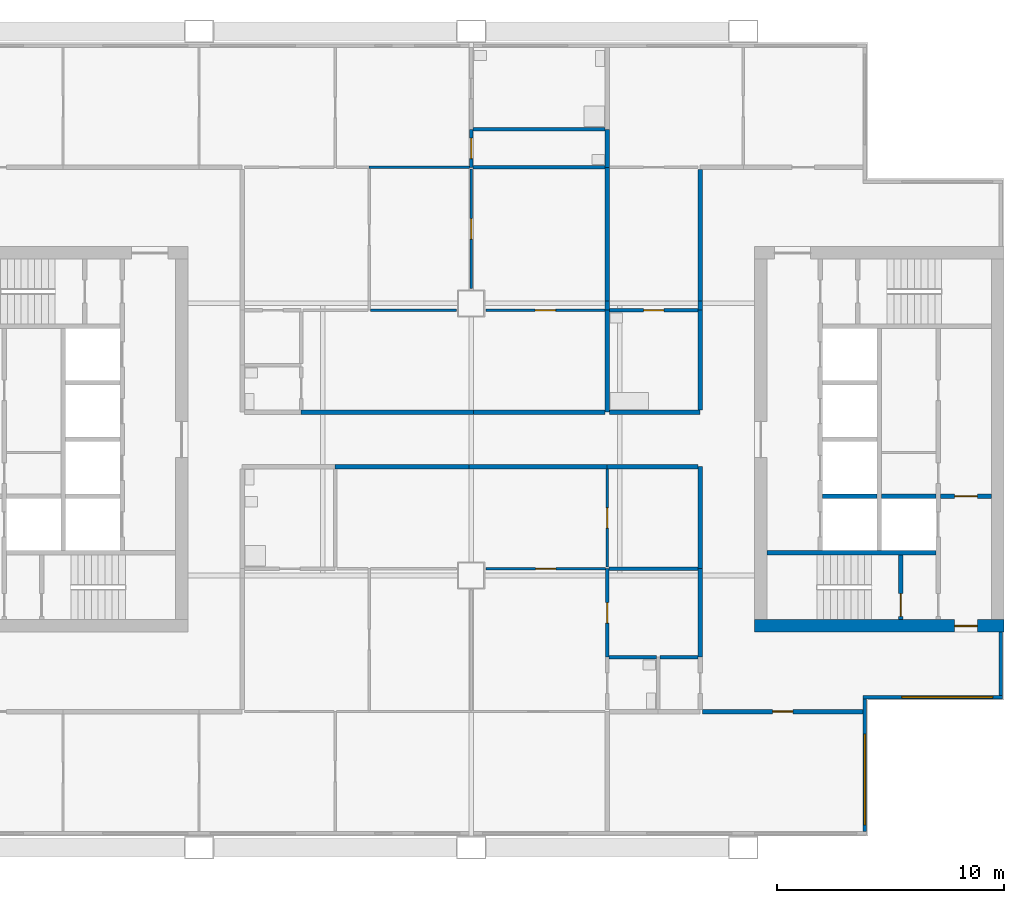
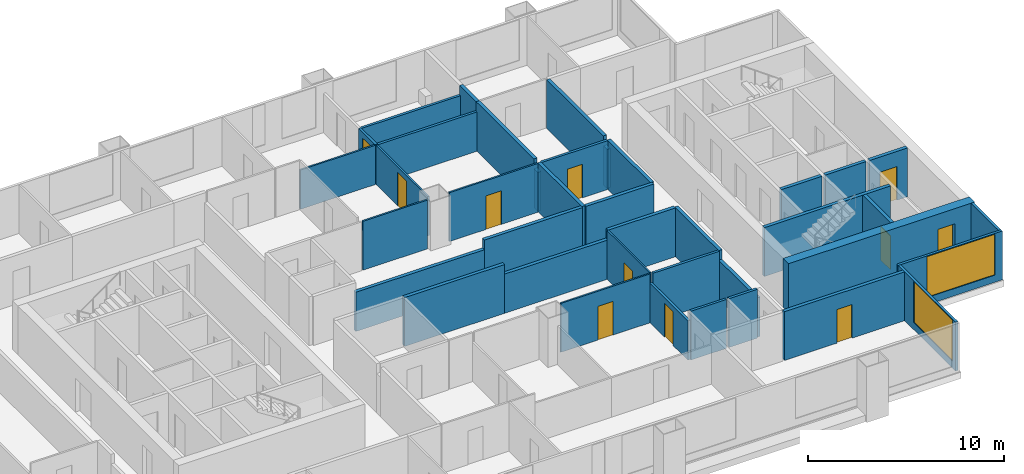
# One storey, part 5 of 9: 39 walls, 11 doors, 2 windows, 13 openings.
"""IFC4 building model written with IfcOpenShell, lengths in metres."""

from ifc_helpers import new_model, si_unit, direction, frame, frame_2d, origin, place, context, subcontext, project, spatial, rectangle, extrude, material, layer, layer_set, type_object, element, fill, save


model = new_model("IFC4")

# Units and contexts
model_context = context("Model", 3, precision=1e-05, world=origin(), true_north=direction((0.0, 1.0)))
body_context = subcontext(model_context, "Body", "Model", "MODEL_VIEW")
ifc_project = project(units=[si_unit("LENGTHUNIT", "METRE"), si_unit("AREAUNIT", "SQUARE_METRE"), si_unit("VOLUMEUNIT", "CUBIC_METRE"), si_unit("PLANEANGLEUNIT", "RADIAN"), si_unit("MASSUNIT", "GRAM", prefix="KILO")], contexts=[model_context])

# Site, building, storey
site_placement = place(None, origin())
site = spatial("IfcSite", under=ifc_project, at=site_placement, CompositionType="ELEMENT")
building_placement = place(site_placement, origin())
building = spatial("IfcBuilding", under=site, at=building_placement, Name="Kitamizu Gate Tower and Museum", CompositionType="ELEMENT")
storey_placement = place(building_placement, frame((0.0, 0.0, 182.39990234375)))
storey = spatial("IfcBuildingStorey", under=building, at=storey_placement, Name="L48", CompositionType="ELEMENT", Elevation=182.39990234375)

# Wall, opening, door
ifc_material_1 = material(Name="Concrete Fc42", Category="concrete")
ifc_layer_1 = layer(ifc_material_1, 0.550048828125)
ifc_layer_set_1 = layer_set([ifc_layer_1], Name="Concrete Fc42")
wall_type_1 = type_object("IfcWallType", Name="Core wall 550", PredefinedType="SHEAR", material=ifc_layer_set_1)
wall_1_placement = place(storey_placement, frame((59.5, 21.77490234375, 0.0), z_axis=(0.0, 0.0, 1.0), x_axis=(-1.0, 0.0, 0.0)))
wall_1 = element("IfcWall", 1, at=wall_1_placement, inside=storey, type_object=wall_type_1, Name="Core wall ES", PredefinedType="SHEAR", context=body_context, shape_type="SweptSolid", body=[
    extrude(rectangle(XDim=11.0, YDim=0.550048828125, at=frame_2d((5.5, 0.0))), origin(), (0.0, 0.0, 1.0), 3.050048828125),
])
opening_1_placement = place(wall_1_placement, frame((1.175048828125, 0.0, 0.0)))
opening_1 = element("IfcOpeningElement", 2, at=opening_1_placement, cuts=wall_1, Name="Opening L48-057", PredefinedType="OPENING", context=body_context, shape_type="SweptSolid", body=[
    extrude(rectangle(XDim=1.0, YDim=2.10009765625, at=frame_2d((0.5, 1.050048828125))), frame((0.0, 0.28515625, 0.0), z_axis=(0.0, -1.0, 0.0), x_axis=(1.0, 0.0, 0.0)), (0.0, 0.0, 1.0), 0.570068359375),
])
ifc_material_2 = material(Name="Hollow metal door set")
door_type_1 = type_object("IfcDoorType", Name="Fire door 1000", OperationType="NOTDEFINED", PredefinedType="DOOR", material=ifc_material_2)
door_1_placement = place(opening_1_placement, frame((1.0, 0.0, 0.0), x_axis=(-1.0, 0.0, 0.0)))
door_1 = element("IfcDoor", 3, at=door_1_placement, inside=storey, type_object=door_type_1, Name="Fire-fighting lobby door L48-057", OperationType="SINGLE_SWING_LEFT", OverallHeight=2.10009765625, OverallWidth=1.0, PredefinedType="DOOR", context=body_context, shape_type="SweptSolid", body=[
    extrude(rectangle(XDim=1.0, YDim=2.10009765625, at=frame_2d((0.5, 1.050048828125))), frame((0.0, 0.02490234375, 0.0), z_axis=(0.0, -1.0, 0.0), x_axis=(1.0, 0.0, 0.0)), (0.0, 0.0, 1.0), 0.050048828125),
])
fill(opening_1, door_1)

ifc_material_3 = material(Name="Gypsum board on galvanised stud")
ifc_layer_2 = layer(ifc_material_3, 0.10009765625)
ifc_layer_set_2 = layer_set([ifc_layer_2], Name="Gypsum board on galvanised stud")
wall_type_2 = type_object("IfcWallType", Name="Partition 100 NOT RATED", PredefinedType="PARTITIONING", material=ifc_layer_set_2)
wall_2_placement = place(storey_placement, frame((41.925048828125, 24.300048828125, 0.0), z_axis=(0.0, 0.0, 1.0), x_axis=(-1.0, 0.0, 0.0)))
wall_2 = element("IfcWall", 4, at=wall_2_placement, inside=storey, type_object=wall_type_2, Name="Partition L48-022", PredefinedType="PARTITIONING", context=body_context, shape_type="SweptSolid", body=[
    extrude(rectangle(XDim=5.275146484375, YDim=0.10009765625, at=frame_2d((2.6376953125, 0.0))), origin(), (0.0, 0.0, 1.0), 3.050048828125),
])
opening_2_placement = place(wall_2_placement, frame((2.1875, 0.0, 0.0)))
opening_2 = element("IfcOpeningElement", 5, at=opening_2_placement, cuts=wall_2, Name="Opening L48-010", PredefinedType="OPENING", context=body_context, shape_type="SweptSolid", body=[
    extrude(rectangle(XDim=0.89990234375, YDim=2.10009765625, at=frame_2d((0.449951171875, 1.050048828125))), frame((0.0, 0.06005859375, 0.0), z_axis=(0.0, -1.0, 0.0), x_axis=(1.0, 0.0, 0.0)), (0.0, 0.0, 1.0), 0.1201171875),
])
ifc_material_4 = material(Name="Timber door set", Category="wood")
door_type_2 = type_object("IfcDoorType", Name="Room door 900", OperationType="NOTDEFINED", PredefinedType="DOOR", material=ifc_material_4)
door_2_placement = place(opening_2_placement, origin())
door_2 = element("IfcDoor", 6, at=door_2_placement, inside=storey, type_object=door_type_2, Name="Door L48-010", OperationType="SINGLE_SWING_LEFT", OverallHeight=2.10009765625, OverallWidth=0.89990234375, PredefinedType="DOOR", context=body_context, shape_type="SweptSolid", body=[
    extrude(rectangle(XDim=0.89990234375, YDim=2.10009765625, at=frame_2d((0.449951171875, 1.050048828125))), frame((0.0, 0.02490234375, 0.0), z_axis=(0.0, -1.0, 0.0), x_axis=(1.0, 0.0, 0.0)), (0.0, 0.0, 1.0), 0.050048828125),
])
fill(opening_2, door_2)

wall_3_placement = place(storey_placement, frame((42.0, 24.375, 0.0), z_axis=(0.0, 0.0, 1.0), x_axis=(0.0, 1.0, 0.0)))
wall_3 = element("IfcWall", 7, at=wall_3_placement, inside=storey, type_object=wall_type_2, Name="Partition L48-028", PredefinedType="PARTITIONING", context=body_context, shape_type="SweptSolid", body=[
    extrude(rectangle(XDim=4.324951171875, YDim=0.10009765625, at=frame_2d((2.16259765625, 0.0))), origin(), (0.0, 0.0, 1.0), 3.050048828125),
])
opening_3_placement = place(wall_3_placement, frame((1.71240234375, 0.0, 0.0)))
opening_3 = element("IfcOpeningElement", 8, at=opening_3_placement, cuts=wall_3, Name="Opening L48-013", PredefinedType="OPENING", context=body_context, shape_type="SweptSolid", body=[
    extrude(rectangle(XDim=0.89990234375, YDim=2.10009765625, at=frame_2d((0.449951171875, 1.050048828125))), frame((0.0, 0.06005859375, 0.0), z_axis=(0.0, -1.0, 0.0), x_axis=(1.0, 0.0, 0.0)), (0.0, 0.0, 1.0), 0.1201171875),
])
door_3_placement = place(opening_3_placement, origin())
door_3 = element("IfcDoor", 9, at=door_3_placement, inside=storey, type_object=door_type_2, Name="Door L48-013", OperationType="SINGLE_SWING_RIGHT", OverallHeight=2.10009765625, OverallWidth=0.89990234375, PredefinedType="DOOR", context=body_context, shape_type="SweptSolid", body=[
    extrude(rectangle(XDim=0.89990234375, YDim=2.10009765625, at=frame_2d((0.449951171875, 1.050048828125))), frame((0.0, 0.02490234375, 0.0), z_axis=(0.0, -1.0, 0.0), x_axis=(1.0, 0.0, 0.0)), (0.0, 0.0, 1.0), 0.050048828125),
])
fill(opening_3, door_3)

# Wall
wall_4_placement = place(storey_placement, frame((31.5, 42.0, 0.0), z_axis=(0.0, 0.0, 1.0), x_axis=(1.0, 0.0, 0.0)))
element("IfcWall", 10, at=wall_4_placement, inside=storey, type_object=wall_type_2, Name="Partition L48-055", PredefinedType="PARTITIONING", context=body_context, shape_type="SweptSolid", body=[
    extrude(rectangle(XDim=4.425048828125, YDim=0.10009765625, at=frame_2d((2.21240234375, 0.0))), origin(), (0.0, 0.0, 1.0), 2.4501953125),
])

# Wall, opening, door
wall_5_placement = place(storey_placement, frame((36.0, 36.64990234375, 0.0), z_axis=(0.0, 0.0, 1.0), x_axis=(0.0, 1.0, 0.0)))
wall_5 = element("IfcWall", 11, at=wall_5_placement, inside=storey, type_object=wall_type_2, Name="Partition L48-065", PredefinedType="PARTITIONING", context=body_context, shape_type="SweptSolid", body=[
    extrude(rectangle(XDim=5.275146484375, YDim=0.10009765625, at=frame_2d((2.6376953125, 0.0))), origin(), (0.0, 0.0, 1.0), 2.4501953125),
])
opening_4_placement = place(wall_5_placement, frame((2.1875, 0.0, 0.0)))
opening_4 = element("IfcOpeningElement", 12, at=opening_4_placement, cuts=wall_5, Name="Opening L48-024", PredefinedType="OPENING", context=body_context, shape_type="SweptSolid", body=[
    extrude(rectangle(XDim=0.89990234375, YDim=2.10009765625, at=frame_2d((0.449951171875, 1.050048828125))), frame((0.0, 0.06005859375, 0.0), z_axis=(0.0, -1.0, 0.0), x_axis=(1.0, 0.0, 0.0)), (0.0, 0.0, 1.0), 0.1201171875),
])
door_4_placement = place(opening_4_placement, origin())
door_4 = element("IfcDoor", 13, at=door_4_placement, inside=storey, type_object=door_type_2, Name="Door L48-024", OperationType="SINGLE_SWING_LEFT", OverallHeight=2.10009765625, OverallWidth=0.89990234375, PredefinedType="DOOR", context=body_context, shape_type="SweptSolid", body=[
    extrude(rectangle(XDim=0.89990234375, YDim=2.10009765625, at=frame_2d((0.449951171875, 1.050048828125))), frame((0.0, 0.02490234375, 0.0), z_axis=(0.0, -1.0, 0.0), x_axis=(1.0, 0.0, 0.0)), (0.0, 0.0, 1.0), 0.050048828125),
])
fill(opening_4, door_4)

# Wall
wall_6_placement = place(storey_placement, frame((31.550048828125, 35.699951171875, 0.0), z_axis=(0.0, 0.0, 1.0), x_axis=(1.0, 0.0, 0.0)))
element("IfcWall", 14, at=wall_6_placement, inside=storey, type_object=wall_type_2, Name="Partition L48-066", PredefinedType="PARTITIONING", context=body_context, shape_type="SweptSolid", body=[
    extrude(rectangle(XDim=3.800048828125, YDim=0.10009765625, at=frame_2d((1.89990234375, 0.0))), origin(), (0.0, 0.0, 1.0), 3.050048828125),
])

# Wall, opening, door
wall_7_placement = place(storey_placement, frame((36.64990234375, 35.699951171875, 0.0), z_axis=(0.0, 0.0, 1.0), x_axis=(1.0, 0.0, 0.0)))
wall_7 = element("IfcWall", 15, at=wall_7_placement, inside=storey, type_object=wall_type_2, Name="Partition L48-067", PredefinedType="PARTITIONING", context=body_context, shape_type="SweptSolid", body=[
    extrude(rectangle(XDim=5.25, YDim=0.10009765625, at=frame_2d((2.625, 0.0))), origin(), (0.0, 0.0, 1.0), 3.050048828125),
])
opening_5_placement = place(wall_7_placement, frame((2.175048828125, 0.0, 0.0)))
opening_5 = element("IfcOpeningElement", 16, at=opening_5_placement, cuts=wall_7, Name="Opening L48-026", PredefinedType="OPENING", context=body_context, shape_type="SweptSolid", body=[
    extrude(rectangle(XDim=0.89990234375, YDim=2.10009765625, at=frame_2d((0.449951171875, 1.050048828125))), frame((0.0, 0.06005859375, 0.0), z_axis=(0.0, -1.0, 0.0), x_axis=(1.0, 0.0, 0.0)), (0.0, 0.0, 1.0), 0.1201171875),
])
door_5_placement = place(opening_5_placement, origin())
door_5 = element("IfcDoor", 17, at=door_5_placement, inside=storey, type_object=door_type_2, Name="Door L48-026", OperationType="SINGLE_SWING_LEFT", OverallHeight=2.10009765625, OverallWidth=0.89990234375, PredefinedType="DOOR", context=body_context, shape_type="SweptSolid", body=[
    extrude(rectangle(XDim=0.89990234375, YDim=2.10009765625, at=frame_2d((0.449951171875, 1.050048828125))), frame((0.0, 0.02490234375, 0.0), z_axis=(0.0, -1.0, 0.0), x_axis=(1.0, 0.0, 0.0)), (0.0, 0.0, 1.0), 0.050048828125),
])
fill(opening_5, door_5)

ifc_material_5 = material(Name="Gypsum board on galvanised stud")
ifc_layer_3 = layer(ifc_material_5, 0.14990234375)
ifc_layer_set_3 = layer_set([ifc_layer_3], Name="Gypsum board on galvanised stud")
wall_type_3 = type_object("IfcWallType", Name="Partition 150", PredefinedType="PARTITIONING", material=ifc_layer_set_3)
wall_8_placement = place(storey_placement, frame((42.0, 20.39990234375, 0.0), z_axis=(0.0, 0.0, 1.0), x_axis=(0.0, 1.0, 0.0)))
wall_8 = element("IfcWall", 18, at=wall_8_placement, inside=storey, type_object=wall_type_3, Name="Partition L48-024", PredefinedType="PARTITIONING", context=body_context, shape_type="SweptSolid", body=[
    extrude(rectangle(XDim=3.900146484375, YDim=0.14990234375, at=frame_2d((1.9501953125, 0.0))), origin(), (0.0, 0.0, 1.0), 2.4501953125),
])
opening_6_placement = place(wall_8_placement, frame((1.5, 0.0, 0.0)))
opening_6 = element("IfcOpeningElement", 19, at=opening_6_placement, cuts=wall_8, Name="Opening L48-012", PredefinedType="OPENING", context=body_context, shape_type="SweptSolid", body=[
    extrude(rectangle(XDim=0.89990234375, YDim=2.10009765625, at=frame_2d((0.449951171875, 1.050048828125))), frame((0.0, 0.0849609375, 0.0), z_axis=(0.0, -1.0, 0.0), x_axis=(1.0, 0.0, 0.0)), (0.0, 0.0, 1.0), 0.169921875),
])
ifc_material_6 = material(Name="Timber door set", Category="wood")
door_type_3 = type_object("IfcDoorType", Name="Bathroom door 900", OperationType="NOTDEFINED", PredefinedType="DOOR", material=ifc_material_6)
door_6_placement = place(opening_6_placement, frame((0.89990234375, 0.0, 0.0), x_axis=(-1.0, 0.0, 0.0)))
door_6 = element("IfcDoor", 20, at=door_6_placement, inside=storey, type_object=door_type_3, Name="Bathroom door L48-012", OperationType="SINGLE_SWING_RIGHT", OverallHeight=2.10009765625, OverallWidth=0.89990234375, PredefinedType="DOOR", context=body_context, shape_type="SweptSolid", body=[
    extrude(rectangle(XDim=0.89990234375, YDim=2.10009765625, at=frame_2d((0.449951171875, 1.050048828125))), frame((0.0, 0.02490234375, 0.0), z_axis=(0.0, -1.0, 0.0), x_axis=(1.0, 0.0, 0.0)), (0.0, 0.0, 1.0), 0.050048828125),
])
fill(opening_6, door_6)

# Walls
wall_9_placement = place(storey_placement, frame((44.175048828125, 20.39990234375, 0.0), z_axis=(0.0, 0.0, 1.0), x_axis=(-1.0, 0.0, 0.0)))
element("IfcWall", 21, at=wall_9_placement, inside=storey, type_object=wall_type_3, Name="Partition L48-032", PredefinedType="PARTITIONING", context=body_context, shape_type="SweptSolid", body=[
    extrude(rectangle(XDim=2.10009765625, YDim=0.14990234375, at=frame_2d((1.050048828125, 0.0))), origin(), (0.0, 0.0, 1.0), 3.050048828125),
])
wall_10_placement = place(storey_placement, frame((46.0, 20.39990234375, 0.0), z_axis=(0.0, 0.0, 1.0), x_axis=(-1.0, 0.0, 0.0)))
element("IfcWall", 22, at=wall_10_placement, inside=storey, type_object=wall_type_3, Name="Partition L48-034", PredefinedType="PARTITIONING", context=body_context, shape_type="SweptSolid", body=[
    extrude(rectangle(XDim=1.675048828125, YDim=0.14990234375, at=frame_2d((0.83740234375, 0.0))), origin(), (0.0, 0.0, 1.0), 3.050048828125),
])
wall_11_placement = place(storey_placement, frame((46.0, 24.300048828125, 0.0), z_axis=(0.0, 0.0, 1.0), x_axis=(-1.0, 0.0, 0.0)))
element("IfcWall", 23, at=wall_11_placement, inside=storey, type_object=wall_type_3, Name="Partition L48-037", PredefinedType="PARTITIONING", context=body_context, shape_type="SweptSolid", body=[
    extrude(rectangle(XDim=3.925048828125, YDim=0.14990234375, at=frame_2d((1.96240234375, 0.0))), origin(), (0.0, 0.0, 1.0), 3.050048828125),
])

# Wall, opening, door
wall_12_placement = place(storey_placement, frame((36.0, 42.0, 0.0), z_axis=(0.0, 0.0, 1.0), x_axis=(0.0, 1.0, 0.0)))
wall_12 = element("IfcWall", 24, at=wall_12_placement, inside=storey, type_object=wall_type_3, Name="Partition L48-053", PredefinedType="PARTITIONING", context=body_context, shape_type="SweptSolid", body=[
    extrude(rectangle(XDim=1.679931640625, YDim=0.14990234375, at=frame_2d((0.83984375, 0.0))), origin(), (0.0, 0.0, 1.0), 2.4501953125),
])
opening_7_placement = place(wall_12_placement, frame((0.389892578125, 0.0, 0.0)))
opening_7 = element("IfcOpeningElement", 25, at=opening_7_placement, cuts=wall_12, Name="Opening L48-021", PredefinedType="OPENING", context=body_context, shape_type="SweptSolid", body=[
    extrude(rectangle(XDim=0.89990234375, YDim=2.10009765625, at=frame_2d((0.449951171875, 1.050048828125))), frame((0.0, 0.0849609375, 0.0), z_axis=(0.0, -1.0, 0.0), x_axis=(1.0, 0.0, 0.0)), (0.0, 0.0, 1.0), 0.169921875),
])
door_7_placement = place(opening_7_placement, frame((0.89990234375, 0.0, 0.0), x_axis=(-1.0, 0.0, 0.0)))
door_7 = element("IfcDoor", 26, at=door_7_placement, inside=storey, type_object=door_type_3, Name="Bathroom door L48-021", OperationType="SINGLE_SWING_LEFT", OverallHeight=2.10009765625, OverallWidth=0.89990234375, PredefinedType="DOOR", context=body_context, shape_type="SweptSolid", body=[
    extrude(rectangle(XDim=0.89990234375, YDim=2.10009765625, at=frame_2d((0.449951171875, 1.050048828125))), frame((0.0, 0.02490234375, 0.0), z_axis=(0.0, -1.0, 0.0), x_axis=(1.0, 0.0, 0.0)), (0.0, 0.0, 1.0), 0.050048828125),
])
fill(opening_7, door_7)

# Walls
for number, where, z_axis, x_axis, name in (
    (27, (36.074951171875, 43.679931640625, 0.0), (0.0, 0.0, 1.0), (1.0, 0.0, 0.0), "Partition L48-056"),
    (28, (36.074951171875, 42.0, 0.0), (0.0, 0.0, 1.0), (1.0, 0.0, 0.0), "Partition L48-058"),
):
    element("IfcWall", number, at=place(storey_placement, frame(where, z_axis=z_axis, x_axis=x_axis)), inside=storey, type_object=wall_type_3, Name=name, PredefinedType="PARTITIONING", context=body_context, shape_type="SweptSolid", body=[
        extrude(rectangle(XDim=5.824951171875, YDim=0.14990234375, at=frame_2d((2.91259765625, 0.0))), origin(), (0.0, 0.0, 1.0), 2.4501953125),
    ])

# Wall, opening, door
wall_13_placement = place(storey_placement, frame((42.10009765625, 35.699951171875, 0.0), z_axis=(0.0, 0.0, 1.0), x_axis=(1.0, 0.0, 0.0)))
wall_13 = element("IfcWall", 29, at=wall_13_placement, inside=storey, type_object=wall_type_3, Name="Partition L48-102", PredefinedType="PARTITIONING", context=body_context, shape_type="SweptSolid", body=[
    extrude(rectangle(XDim=3.89990234375, YDim=0.14990234375, at=frame_2d((1.949951171875, 0.0))), origin(), (0.0, 0.0, 1.0), 3.050048828125),
])
opening_8_placement = place(wall_13_placement, frame((1.5, 0.0, 0.0)))
opening_8 = element("IfcOpeningElement", 30, at=opening_8_placement, cuts=wall_13, Name="Opening L48-039", PredefinedType="OPENING", context=body_context, shape_type="SweptSolid", body=[
    extrude(rectangle(XDim=0.89990234375, YDim=2.10009765625, at=frame_2d((0.449951171875, 1.050048828125))), frame((0.0, 0.0849609375, 0.0), z_axis=(0.0, -1.0, 0.0), x_axis=(1.0, 0.0, 0.0)), (0.0, 0.0, 1.0), 0.169921875),
])
door_8_placement = place(opening_8_placement, frame((0.89990234375, 0.0, 0.0), x_axis=(-1.0, 0.0, 0.0)))
door_8 = element("IfcDoor", 31, at=door_8_placement, inside=storey, type_object=door_type_3, Name="Bathroom door L48-039", OperationType="SINGLE_SWING_RIGHT", OverallHeight=2.10009765625, OverallWidth=0.89990234375, PredefinedType="DOOR", context=body_context, shape_type="SweptSolid", body=[
    extrude(rectangle(XDim=0.89990234375, YDim=2.10009765625, at=frame_2d((0.449951171875, 1.050048828125))), frame((0.0, 0.02490234375, 0.0), z_axis=(0.0, -1.0, 0.0), x_axis=(1.0, 0.0, 0.0)), (0.0, 0.0, 1.0), 0.050048828125),
])
fill(opening_8, door_8)

# Walls
ifc_material_7 = material(Name="Gypsum board on galvanised stud")
ifc_layer_4 = layer(ifc_material_7, 0.199951171875)
ifc_layer_set_4 = layer_set([ifc_layer_4], Name="Gypsum board on galvanised stud")
wall_type_4 = type_object("IfcWallType", Name="Partition 200", PredefinedType="PARTITIONING", material=ifc_layer_set_4)
wall_14_placement = place(storey_placement, frame((42.0, 28.800048828125, 0.0), z_axis=(0.0, 0.0, 1.0), x_axis=(-1.0, 0.0, 0.0)))
element("IfcWall", 32, at=wall_14_placement, inside=storey, type_object=wall_type_4, Name="Partition L48-029", PredefinedType="PARTITIONING", context=body_context, shape_type="SweptSolid", body=[
    extrude(rectangle(XDim=6.10009765625, YDim=0.199951171875, at=frame_2d((3.050048828125, 0.0))), origin(), (0.0, 0.0, 1.0), 2.4501953125),
])
wall_15_placement = place(storey_placement, frame((35.89990234375, 28.800048828125, 0.0), z_axis=(0.0, 0.0, 1.0), x_axis=(-1.0, 0.0, 0.0)))
element("IfcWall", 33, at=wall_15_placement, inside=storey, type_object=wall_type_4, Name="Partition L48-030", PredefinedType="PARTITIONING", context=body_context, shape_type="SweptSolid", body=[
    extrude(rectangle(XDim=5.89990234375, YDim=0.199951171875, at=frame_2d((2.949951171875, 0.0))), origin(), (0.0, 0.0, 1.0), 3.050048828125),
])
wall_16_placement = place(storey_placement, frame((46.10009765625, 20.39990234375, 0.0), z_axis=(0.0, 0.0, 1.0), x_axis=(0.0, 1.0, 0.0)))
element("IfcWall", 34, at=wall_16_placement, inside=storey, type_object=wall_type_4, Name="Partition L48-038", PredefinedType="PARTITIONING", context=body_context, shape_type="SweptSolid", body=[
    extrude(rectangle(XDim=3.900146484375, YDim=0.199951171875, at=frame_2d((1.9501953125, 0.0))), origin(), (0.0, 0.0, 1.0), 2.4501953125),
])
wall_17_placement = place(storey_placement, frame((46.10009765625, 24.300048828125, 0.0), z_axis=(0.0, 0.0, 1.0), x_axis=(0.0, 1.0, 0.0)))
element("IfcWall", 35, at=wall_17_placement, inside=storey, type_object=wall_type_4, Name="Partition L48-039", PredefinedType="PARTITIONING", context=body_context, shape_type="SweptSolid", body=[
    extrude(rectangle(XDim=4.5, YDim=0.199951171875, at=frame_2d((2.25, 0.0))), origin(), (0.0, 0.0, 1.0), 3.050048828125),
])
wall_18_placement = place(storey_placement, frame((46.0, 28.800048828125, 0.0), z_axis=(0.0, 0.0, 1.0), x_axis=(-1.0, 0.0, 0.0)))
element("IfcWall", 36, at=wall_18_placement, inside=storey, type_object=wall_type_4, Name="Partition L48-040", PredefinedType="PARTITIONING", context=body_context, shape_type="SweptSolid", body=[
    extrude(rectangle(XDim=4.0, YDim=0.199951171875, at=frame_2d((2.0, 0.0))), origin(), (0.0, 0.0, 1.0), 3.050048828125),
])
wall_19_placement = place(storey_placement, frame((42.0, 42.0, 0.0), z_axis=(0.0, 0.0, 1.0), x_axis=(0.0, 1.0, 0.0)))
element("IfcWall", 37, at=wall_19_placement, inside=storey, type_object=wall_type_4, Name="Partition L48-059", PredefinedType="PARTITIONING", context=body_context, shape_type="SweptSolid", body=[
    extrude(rectangle(XDim=1.679931640625, YDim=0.199951171875, at=frame_2d((0.83984375, 0.0))), origin(), (0.0, 0.0, 1.0), 3.050048828125),
])
wall_20_placement = place(storey_placement, frame((42.0, 35.699951171875, 0.0), z_axis=(0.0, 0.0, 1.0), x_axis=(0.0, 1.0, 0.0)))
element("IfcWall", 38, at=wall_20_placement, inside=storey, type_object=wall_type_4, Name="Partition L48-068", PredefinedType="PARTITIONING", context=body_context, shape_type="SweptSolid", body=[
    extrude(rectangle(XDim=0.400146484375, YDim=0.199951171875, at=frame_2d((0.2001953125, 0.0))), origin(), (0.0, 0.0, 1.0), 2.4501953125),
])
wall_21_placement = place(storey_placement, frame((42.0, 36.10009765625, 0.0), z_axis=(0.0, 0.0, 1.0), x_axis=(0.0, 1.0, 0.0)))
element("IfcWall", 39, at=wall_21_placement, inside=storey, type_object=wall_type_4, Name="Partition L48-069", PredefinedType="PARTITIONING", context=body_context, shape_type="SweptSolid", body=[
    extrude(rectangle(XDim=5.89990234375, YDim=0.199951171875, at=frame_2d((2.949951171875, 0.0))), origin(), (0.0, 0.0, 1.0), 3.050048828125),
])
wall_22_placement = place(storey_placement, frame((42.0, 31.199951171875, 0.0), z_axis=(0.0, 0.0, 1.0), x_axis=(0.0, 1.0, 0.0)))
element("IfcWall", 40, at=wall_22_placement, inside=storey, type_object=wall_type_4, Name="Partition L48-076", PredefinedType="PARTITIONING", context=body_context, shape_type="SweptSolid", body=[
    extrude(rectangle(XDim=4.5, YDim=0.199951171875, at=frame_2d((2.25, 0.0))), origin(), (0.0, 0.0, 1.0), 3.050048828125),
])
wall_23_placement = place(storey_placement, frame((28.5, 31.199951171875, 0.0), z_axis=(0.0, 0.0, 1.0), x_axis=(1.0, 0.0, 0.0)))
element("IfcWall", 41, at=wall_23_placement, inside=storey, type_object=wall_type_4, Name="Partition L48-077", PredefinedType="PARTITIONING", context=body_context, shape_type="SweptSolid", body=[
    extrude(rectangle(XDim=7.60009765625, YDim=0.199951171875, at=frame_2d((3.800048828125, 0.0))), origin(), (0.0, 0.0, 1.0), 2.4501953125),
])
wall_24_placement = place(storey_placement, frame((36.10009765625, 31.199951171875, 0.0), z_axis=(0.0, 0.0, 1.0), x_axis=(1.0, 0.0, 0.0)))
element("IfcWall", 42, at=wall_24_placement, inside=storey, type_object=wall_type_4, Name="Partition L48-078", PredefinedType="PARTITIONING", context=body_context, shape_type="SweptSolid", body=[
    extrude(rectangle(XDim=5.7998046875, YDim=0.199951171875, at=frame_2d((2.89990234375, 0.0))), origin(), (0.0, 0.0, 1.0), 3.050048828125),
])
wall_25_placement = place(storey_placement, frame((46.10009765625, 35.699951171875, 0.0), z_axis=(0.0, 0.0, 1.0), x_axis=(0.0, 1.0, 0.0)))
element("IfcWall", 43, at=wall_25_placement, inside=storey, type_object=wall_type_4, Name="Partition L48-103", PredefinedType="PARTITIONING", context=body_context, shape_type="SweptSolid", body=[
    extrude(rectangle(XDim=0.400146484375, YDim=0.199951171875, at=frame_2d((0.2001953125, 0.0))), origin(), (0.0, 0.0, 1.0), 2.4501953125),
])
wall_26_placement = place(storey_placement, frame((46.10009765625, 36.10009765625, 0.0), z_axis=(0.0, 0.0, 1.0), x_axis=(0.0, 1.0, 0.0)))
element("IfcWall", 44, at=wall_26_placement, inside=storey, type_object=wall_type_4, Name="Partition L48-104", PredefinedType="PARTITIONING", context=body_context, shape_type="SweptSolid", body=[
    extrude(rectangle(XDim=5.7998046875, YDim=0.199951171875, at=frame_2d((2.89990234375, 0.0))), origin(), (0.0, 0.0, 1.0), 3.050048828125),
])
wall_27_placement = place(storey_placement, frame((42.10009765625, 31.199951171875, 0.0), z_axis=(0.0, 0.0, 1.0), x_axis=(1.0, 0.0, 0.0)))
element("IfcWall", 45, at=wall_27_placement, inside=storey, type_object=wall_type_4, Name="Partition L48-105", PredefinedType="PARTITIONING", context=body_context, shape_type="SweptSolid", body=[
    extrude(rectangle(XDim=4.0, YDim=0.199951171875, at=frame_2d((2.0, 0.0))), origin(), (0.0, 0.0, 1.0), 3.050048828125),
])
wall_28_placement = place(storey_placement, frame((46.10009765625, 31.300048828125, 0.0), z_axis=(0.0, 0.0, 1.0), x_axis=(0.0, 1.0, 0.0)))
element("IfcWall", 46, at=wall_28_placement, inside=storey, type_object=wall_type_4, Name="Partition L48-106", PredefinedType="PARTITIONING", context=body_context, shape_type="SweptSolid", body=[
    extrude(rectangle(XDim=4.39990234375, YDim=0.199951171875, at=frame_2d((2.199951171875, 0.0))), origin(), (0.0, 0.0, 1.0), 3.050048828125),
])

# Wall, opening, door
wall_29_placement = place(storey_placement, frame((53.280029296875, 18.0, 0.0), z_axis=(0.0, 0.0, 1.0), x_axis=(-1.0, 0.0, 0.0)))
wall_29 = element("IfcWall", 47, at=wall_29_placement, inside=storey, type_object=wall_type_4, Name="Partition L48-107", PredefinedType="PARTITIONING", context=body_context, shape_type="SweptSolid", body=[
    extrude(rectangle(XDim=7.080078125, YDim=0.199951171875, at=frame_2d((3.5400390625, 0.0))), origin(), (0.0, 0.0, 1.0), 3.050048828125),
])
opening_9_placement = place(wall_29_placement, frame((3.090087890625, 0.0, 0.0)))
opening_9 = element("IfcOpeningElement", 48, at=opening_9_placement, cuts=wall_29, Name="Opening L48-040", PredefinedType="OPENING", context=body_context, shape_type="SweptSolid", body=[
    extrude(rectangle(XDim=0.89990234375, YDim=2.10009765625, at=frame_2d((0.449951171875, 1.050048828125))), frame((0.0, 0.10986328125, 0.0), z_axis=(0.0, -1.0, 0.0), x_axis=(1.0, 0.0, 0.0)), (0.0, 0.0, 1.0), 0.219970703125),
])
door_9_placement = place(opening_9_placement, origin())
door_9 = element("IfcDoor", 49, at=door_9_placement, inside=storey, type_object=door_type_2, Name="Door L48-040", OperationType="SINGLE_SWING_RIGHT", OverallHeight=2.10009765625, OverallWidth=0.89990234375, PredefinedType="DOOR", context=body_context, shape_type="SweptSolid", body=[
    extrude(rectangle(XDim=0.89990234375, YDim=2.10009765625, at=frame_2d((0.449951171875, 1.050048828125))), frame((0.0, 0.02490234375, 0.0), z_axis=(0.0, -1.0, 0.0), x_axis=(1.0, 0.0, 0.0)), (0.0, 0.0, 1.0), 0.050048828125),
])
fill(opening_9, door_9)

# Wall
ifc_material_8 = material(Name="Concrete Fc42", Category="concrete")
ifc_layer_5 = layer(ifc_material_8, 0.199951171875)
ifc_layer_set_5 = layer_set([ifc_layer_5], Name="Concrete Fc42")
wall_type_5 = type_object("IfcWallType", Name="Shaft wall 200", PredefinedType="SOLIDWALL", material=ifc_layer_set_5)
wall_30_placement = place(storey_placement, frame((56.5, 25.0, 0.0), z_axis=(0.0, 0.0, 1.0), x_axis=(-1.0, 0.0, 0.0)))
element("IfcWall", 50, at=wall_30_placement, inside=storey, type_object=wall_type_5, Name="Shaft wall ESB", PredefinedType="SOLIDWALL", context=body_context, shape_type="SweptSolid", body=[
    extrude(rectangle(XDim=7.449951171875, YDim=0.199951171875, at=frame_2d((3.72509765625, 0.0))), origin(), (0.0, 0.0, 1.0), 3.050048828125),
])

# Wall, opening, door
wall_31_placement = place(storey_placement, frame((58.949951171875, 27.5, 0.0), z_axis=(0.0, 0.0, 1.0), x_axis=(-1.0, 0.0, 0.0)))
wall_31 = element("IfcWall", 51, at=wall_31_placement, inside=storey, type_object=wall_type_5, Name="Shaft wall EFFN", PredefinedType="SOLIDWALL", context=body_context, shape_type="SweptSolid", body=[
    extrude(rectangle(XDim=2.25, YDim=0.199951171875, at=frame_2d((1.125, 0.0))), origin(), (0.0, 0.0, 1.0), 3.050048828125),
])
opening_10_placement = place(wall_31_placement, frame((0.625, 0.0, 0.0)))
opening_10 = element("IfcOpeningElement", 52, at=opening_10_placement, cuts=wall_31, Name="Opening L48-056", PredefinedType="OPENING", context=body_context, shape_type="SweptSolid", body=[
    extrude(rectangle(XDim=1.0, YDim=2.10009765625, at=frame_2d((0.5, 1.050048828125))), frame((0.0, 0.10986328125, 0.0), z_axis=(0.0, -1.0, 0.0), x_axis=(1.0, 0.0, 0.0)), (0.0, 0.0, 1.0), 0.219970703125),
])
door_10_placement = place(opening_10_placement, origin())
door_10 = element("IfcDoor", 53, at=door_10_placement, inside=storey, type_object=door_type_1, Name="Fire-fighting lobby door L48-056", OperationType="SINGLE_SWING_LEFT", OverallHeight=2.10009765625, OverallWidth=1.0, PredefinedType="DOOR", context=body_context, shape_type="SweptSolid", body=[
    extrude(rectangle(XDim=1.0, YDim=2.10009765625, at=frame_2d((0.5, 1.050048828125))), frame((0.0, 0.02490234375, 0.0), z_axis=(0.0, -1.0, 0.0), x_axis=(1.0, 0.0, 0.0)), (0.0, 0.0, 1.0), 0.050048828125),
])
fill(opening_10, door_10)

wall_32_placement = place(storey_placement, frame((54.949951171875, 22.050048828125, 0.0), z_axis=(0.0, 0.0, 1.0), x_axis=(0.0, 1.0, 0.0)))
wall_32 = element("IfcWall", 54, at=wall_32_placement, inside=storey, type_object=wall_type_5, Name="Shaft wall ESZ", PredefinedType="SOLIDWALL", context=body_context, shape_type="SweptSolid", body=[
    extrude(rectangle(XDim=2.849853515625, YDim=0.199951171875, at=frame_2d((1.4248046875, 0.0))), origin(), (0.0, 0.0, 1.0), 3.050048828125),
])
opening_11_placement = place(wall_32_placement, frame((0.14990234375, 0.0, 0.0)))
opening_11 = element("IfcOpeningElement", 55, at=opening_11_placement, cuts=wall_32, Name="Opening L48-052", PredefinedType="OPENING", context=body_context, shape_type="SweptSolid", body=[
    extrude(rectangle(XDim=1.0, YDim=2.10009765625, at=frame_2d((0.5, 1.050048828125))), frame((0.0, 0.10986328125, 0.0), z_axis=(0.0, -1.0, 0.0), x_axis=(1.0, 0.0, 0.0)), (0.0, 0.0, 1.0), 0.219970703125),
])
door_11_placement = place(opening_11_placement, origin())
door_11 = element("IfcDoor", 56, at=door_11_placement, inside=storey, type_object=door_type_1, Name="Stair door L48-052", OperationType="SINGLE_SWING_RIGHT", OverallHeight=2.10009765625, OverallWidth=1.0, PredefinedType="DOOR", context=body_context, shape_type="SweptSolid", body=[
    extrude(rectangle(XDim=1.0, YDim=2.10009765625, at=frame_2d((0.5, 1.050048828125))), frame((0.0, 0.02490234375, 0.0), z_axis=(0.0, -1.0, 0.0), x_axis=(1.0, 0.0, 0.0)), (0.0, 0.0, 1.0), 0.050048828125),
])
fill(opening_11, door_11)

# Walls
for number, where, z_axis, x_axis, name in (
    (57, (56.5, 27.5, 0.0), (0.0, 0.0, 1.0), (-1.0, 0.0, 0.0), "Shaft wall EDVW0"),
    (58, (53.89990234375, 27.5, 0.0), (0.0, 0.0, 1.0), (-1.0, 0.0, 0.0), "Shaft wall EDVE0"),
):
    element("IfcWall", number, at=place(storey_placement, frame(where, z_axis=z_axis, x_axis=x_axis)), inside=storey, type_object=wall_type_5, Name=name, PredefinedType="SOLIDWALL", context=body_context, shape_type="SweptSolid", body=[
        extrude(rectangle(XDim=2.39990234375, YDim=0.199951171875, at=frame_2d((1.199951171875, 0.0))), origin(), (0.0, 0.0, 1.0), 3.050048828125),
    ])

# Wall, opening, window
ifc_material_9 = material(Name="Bronze anodised aluminium frame with insulated spandrel and tinted glass", Category="aluminium")
ifc_layer_6 = layer(ifc_material_9, 0.14990234375)
ifc_layer_set_6 = layer_set([ifc_layer_6], Name="Bronze anodised aluminium frame with insulated spandrel and tinted glass")
wall_type_6 = type_object("IfcWallType", Name="WINDOW WALL 150 BRONZE FRAME EI 30", PredefinedType="ELEMENTEDWALL", material=ifc_layer_set_6)
wall_33_placement = place(storey_placement, frame((53.364990234375, 12.7099609375, 0.0), z_axis=(0.0, 0.0, 1.0), x_axis=(0.0, 1.0, 0.0)))
wall_33 = element("IfcWall", 59, at=wall_33_placement, inside=storey, type_object=wall_type_6, Name="Window wall east L48", PredefinedType="ELEMENTEDWALL", context=body_context, shape_type="SweptSolid", body=[
    extrude(rectangle(XDim=5.85009765625, YDim=0.14990234375, at=frame_2d((2.925048828125, 0.0))), origin(), (0.0, 0.0, 1.0), 3.050048828125),
])
opening_12_placement = place(wall_33_placement, frame((0.2900390625, 0.0, 0.449951171875)))
opening_12 = element("IfcOpeningElement", 60, at=opening_12_placement, cuts=wall_33, Name="Opening W16", PredefinedType="OPENING", context=body_context, shape_type="SweptSolid", body=[
    extrude(rectangle(XDim=4.0, YDim=2.550048828125, at=frame_2d((2.0, 1.27490234375))), frame((0.0, 0.0849609375, 0.0), z_axis=(0.0, -1.0, 0.0), x_axis=(1.0, 0.0, 0.0)), (0.0, 0.0, 1.0), 0.169921875),
])
ifc_material_10 = material(Name="Bronze anodised aluminium frame, tinted triple glazing", Category="aluminium")
window_type = type_object("IfcWindowType", Name="WINDOW 4000 x 2550 SILL 450", PartitioningType="SINGLE_PANEL", PredefinedType="WINDOW", material=ifc_material_10)
window_1_placement = place(opening_12_placement, origin())
window_1 = element("IfcWindow", 61, at=window_1_placement, inside=storey, type_object=window_type, Name="Window W16 L48", OverallHeight=2.550048828125, OverallWidth=4.0, PartitioningType="SINGLE_PANEL", PredefinedType="WINDOW", context=body_context, shape_type="SweptSolid", body=[
    extrude(rectangle(XDim=4.0, YDim=2.550048828125, at=frame_2d((2.0, 1.27490234375))), frame((0.0, 0.030029296875, 0.0), z_axis=(0.0, -1.0, 0.0), x_axis=(1.0, 0.0, 0.0)), (0.0, 0.0, 1.0), 0.06005859375),
])
fill(opening_12, window_1)

wall_34_placement = place(storey_placement, frame((53.2900390625, 18.635009765625, 0.0), z_axis=(0.0, 0.0, 1.0), x_axis=(1.0, 0.0, 0.0)))
wall_34 = element("IfcWall", 62, at=wall_34_placement, inside=storey, type_object=wall_type_6, Name="Window wall south L48", PredefinedType="ELEMENTEDWALL", context=body_context, shape_type="SweptSolid", body=[
    extrude(rectangle(XDim=6.14990234375, YDim=0.14990234375, at=frame_2d((3.074951171875, 0.0))), origin(), (0.0, 0.0, 1.0), 3.050048828125),
])
opening_13_placement = place(wall_34_placement, frame((1.7099609375, 0.0, 0.449951171875)))
opening_13 = element("IfcOpeningElement", 63, at=opening_13_placement, cuts=wall_34, Name="Opening W16", PredefinedType="OPENING", context=body_context, shape_type="SweptSolid", body=[
    extrude(rectangle(XDim=4.0, YDim=2.550048828125, at=frame_2d((2.0, 1.27490234375))), frame((0.0, 0.0849609375, 0.0), z_axis=(0.0, -1.0, 0.0), x_axis=(1.0, 0.0, 0.0)), (0.0, 0.0, 1.0), 0.169921875),
])
window_2_placement = place(opening_13_placement, origin())
window_2 = element("IfcWindow", 64, at=window_2_placement, inside=storey, type_object=window_type, Name="Window W16 L48", OverallHeight=2.550048828125, OverallWidth=4.0, PartitioningType="SINGLE_PANEL", PredefinedType="WINDOW", context=body_context, shape_type="SweptSolid", body=[
    extrude(rectangle(XDim=4.0, YDim=2.550048828125, at=frame_2d((2.0, 1.27490234375))), frame((0.0, 0.030029296875, 0.0), z_axis=(0.0, -1.0, 0.0), x_axis=(1.0, 0.0, 0.0)), (0.0, 0.0, 1.0), 0.06005859375),
])
fill(opening_13, window_2)

# Wall
wall_35_placement = place(storey_placement, frame((59.364990234375, 18.7099609375, 0.0), z_axis=(0.0, 0.0, 1.0), x_axis=(0.0, 1.0, 0.0)))
element("IfcWall", 65, at=wall_35_placement, inside=storey, type_object=wall_type_6, Name="Window wall east L48", PredefinedType="ELEMENTEDWALL", context=body_context, shape_type="SweptSolid", body=[
    extrude(rectangle(XDim=2.7900390625, YDim=0.14990234375, at=frame_2d((1.39501953125, 0.0))), origin(), (0.0, 0.0, 1.0), 3.050048828125),
])

save(model, "model.ifc")
